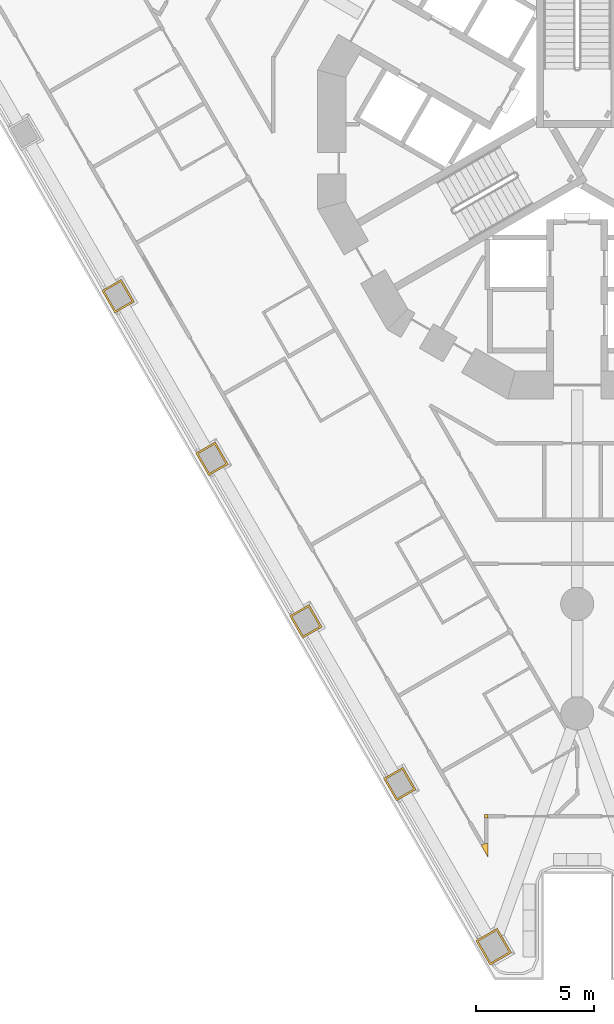
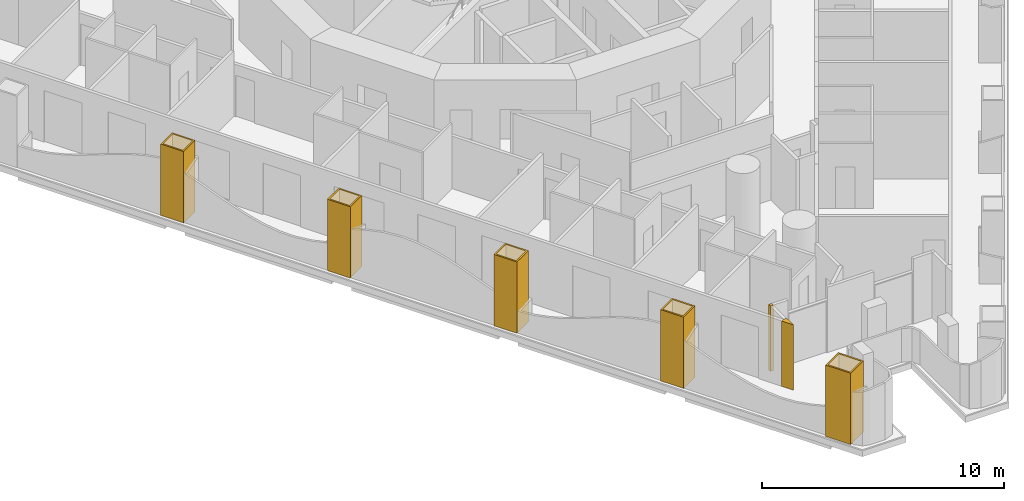
# One storey, part 12 of 20: 7 coverings.
"""IFC4 building model written with IfcOpenShell, lengths in metres."""

from ifc_helpers import new_model, si_unit, direction, frame, origin, place, context, subcontext, project, spatial, polyline, outline, extrude, material, layer, layer_set, type_object, element, save


model = new_model("IFC4")

# Units and contexts
model_context = context("Model", 3, precision=1e-05, world=origin(), true_north=direction((0.0, 1.0)))
body_context = subcontext(model_context, "Body", "Model", "MODEL_VIEW")
ifc_project = project(units=[si_unit("LENGTHUNIT", "METRE"), si_unit("AREAUNIT", "SQUARE_METRE"), si_unit("VOLUMEUNIT", "CUBIC_METRE"), si_unit("PLANEANGLEUNIT", "RADIAN"), si_unit("MASSUNIT", "GRAM", prefix="KILO")], contexts=[model_context])

# Site, building, storey
site_placement = place(None, origin())
site = spatial("IfcSite", under=ifc_project, at=site_placement, CompositionType="ELEMENT")
building_placement = place(site_placement, origin())
building = spatial("IfcBuilding", under=site, at=building_placement, Name="Trine Commons Tower", CompositionType="ELEMENT")
storey_placement = place(building_placement, frame((0.0, 0.0, 38.699951171875)))
storey = spatial("IfcBuildingStorey", under=building, at=storey_placement, Name="L08", CompositionType="ELEMENT", Elevation=38.699951171875)

# Coverings
ifc_material_1 = material(Name="Aluminium-framed insulated wall panel", Category="aluminium")
ifc_layer_1 = layer(ifc_material_1, 0.14990234375)
ifc_layer_set_1 = layer_set([ifc_layer_1], Name="Aluminium-framed insulated wall panel")
covering_type_1 = type_object("IfcCoveringType", Name="Glazing corner post, aluminium", PredefinedType="CLADDING", material=ifc_layer_set_1)
covering_1_placement = place(storey_placement, origin())
element("IfcCovering", 1, at=covering_1_placement, inside=storey, type_object=covering_type_1, Name="Glazing corner post 1-11", PredefinedType="CLADDING", context=body_context, shape_type="SweptSolid", body=[
    extrude(outline(polyline([(76.2099609375, 33.870849609375), (76.06005859375, 33.870849609375), (76.06005859375, 33.720703125), (76.2099609375, 33.720703125), (76.2099609375, 33.870849609375)])), origin(), (0.0, 0.0, 1.0), 3.300048828125),
])
covering_2_placement = place(storey_placement, origin())
element("IfcCovering", 2, at=covering_2_placement, inside=storey, type_object=covering_type_1, Name="Glazing corner post 1-12", PredefinedType="CLADDING", context=body_context, shape_type="SweptSolid", body=[
    extrude(outline(polyline([(75.93017578125, 32.56005859375), (76.2099609375, 32.0751953125), (76.2099609375, 32.635009765625), (76.06005859375, 32.635009765625), (75.93017578125, 32.56005859375)])), origin(), (0.0, 0.0, 1.0), 3.300048828125),
])
ifc_material_2 = material(Name="Limestone, honed", Category="masonry")
ifc_layer_2 = layer(ifc_material_2, 0.074951171875)
ifc_layer_set_2 = layer_set([ifc_layer_2], Name="Limestone, honed")
covering_type_2 = type_object("IfcCoveringType", Name="Limestone column cladding 75", PredefinedType="CLADDING", material=ifc_layer_set_2)
covering_3_placement = place(storey_placement, origin())
element("IfcCovering", 3, at=covering_3_placement, inside=storey, type_object=covering_type_2, Name="Limestone pier cladding 1-01", PredefinedType="CLADDING", context=body_context, shape_type="SweptSolid", body=[
    extrude(outline(polyline([(76.610107421875, 29.052001953125), (75.70068359375, 28.527099609375), (76.30078125, 27.48779296875), (77.210205078125, 28.012939453125), (76.610107421875, 29.052001953125)]), holes=[polyline([(76.582763671875, 28.94970703125), (75.80322265625, 28.499755859375), (76.328369140625, 27.59033203125), (77.107666015625, 28.040283203125), (76.582763671875, 28.94970703125)])]), origin(), (0.0, 0.0, 1.0), 3.60009765625),
])
covering_4_placement = place(storey_placement, origin())
element("IfcCovering", 4, at=covering_4_placement, inside=storey, type_object=covering_type_2, Name="Limestone pier cladding 1-02", PredefinedType="CLADDING", context=body_context, shape_type="SweptSolid", body=[
    extrude(outline(polyline([(72.610107421875, 35.88037109375), (71.787353515625, 35.4052734375), (72.33740234375, 34.45263671875), (73.16015625, 34.927734375), (72.610107421875, 35.88037109375)]), holes=[polyline([(72.582763671875, 35.77783203125), (71.889892578125, 35.3779296875), (72.364990234375, 34.55517578125), (73.0576171875, 34.955078125), (72.582763671875, 35.77783203125)])]), origin(), (0.0, 0.0, 1.0), 3.60009765625),
])
covering_5_placement = place(storey_placement, origin())
element("IfcCovering", 5, at=covering_5_placement, inside=storey, type_object=covering_type_2, Name="Limestone pier cladding 1-03", PredefinedType="CLADDING", context=body_context, shape_type="SweptSolid", body=[
    extrude(outline(polyline([(68.62841796875, 42.77685546875), (67.8056640625, 42.3017578125), (68.355712890625, 41.34912109375), (69.178466796875, 41.82421875), (68.62841796875, 42.77685546875)]), holes=[polyline([(68.60107421875, 42.67431640625), (67.908203125, 42.2744140625), (68.38330078125, 41.45166015625), (69.075927734375, 41.8515625), (68.60107421875, 42.67431640625)])]), origin(), (0.0, 0.0, 1.0), 3.60009765625),
])
covering_6_placement = place(storey_placement, origin())
element("IfcCovering", 6, at=covering_6_placement, inside=storey, type_object=covering_type_2, Name="Limestone pier cladding 1-04", PredefinedType="CLADDING", context=body_context, shape_type="SweptSolid", body=[
    extrude(outline(polyline([(64.64697265625, 49.67333984375), (63.82421875, 49.1982421875), (64.3740234375, 48.24560546875), (65.197021484375, 48.720703125), (64.64697265625, 49.67333984375)]), holes=[polyline([(64.619384765625, 49.57080078125), (63.926513671875, 49.1708984375), (64.401611328125, 48.34814453125), (65.094482421875, 48.748046875), (64.619384765625, 49.57080078125)])]), origin(), (0.0, 0.0, 1.0), 3.60009765625),
])
covering_7_placement = place(storey_placement, origin())
element("IfcCovering", 7, at=covering_7_placement, inside=storey, type_object=covering_type_2, Name="Limestone pier cladding 1-05", PredefinedType="CLADDING", context=body_context, shape_type="SweptSolid", body=[
    extrude(outline(polyline([(60.665283203125, 56.569580078125), (59.84228515625, 56.0947265625), (60.392333984375, 55.14208984375), (61.215087890625, 55.6171875), (60.665283203125, 56.569580078125)]), holes=[polyline([(60.6376953125, 56.46728515625), (59.94482421875, 56.0673828125), (60.419921875, 55.244384765625), (61.11279296875, 55.64453125), (60.6376953125, 56.46728515625)])]), origin(), (0.0, 0.0, 1.0), 3.60009765625),
])

save(model, "model.ifc")
